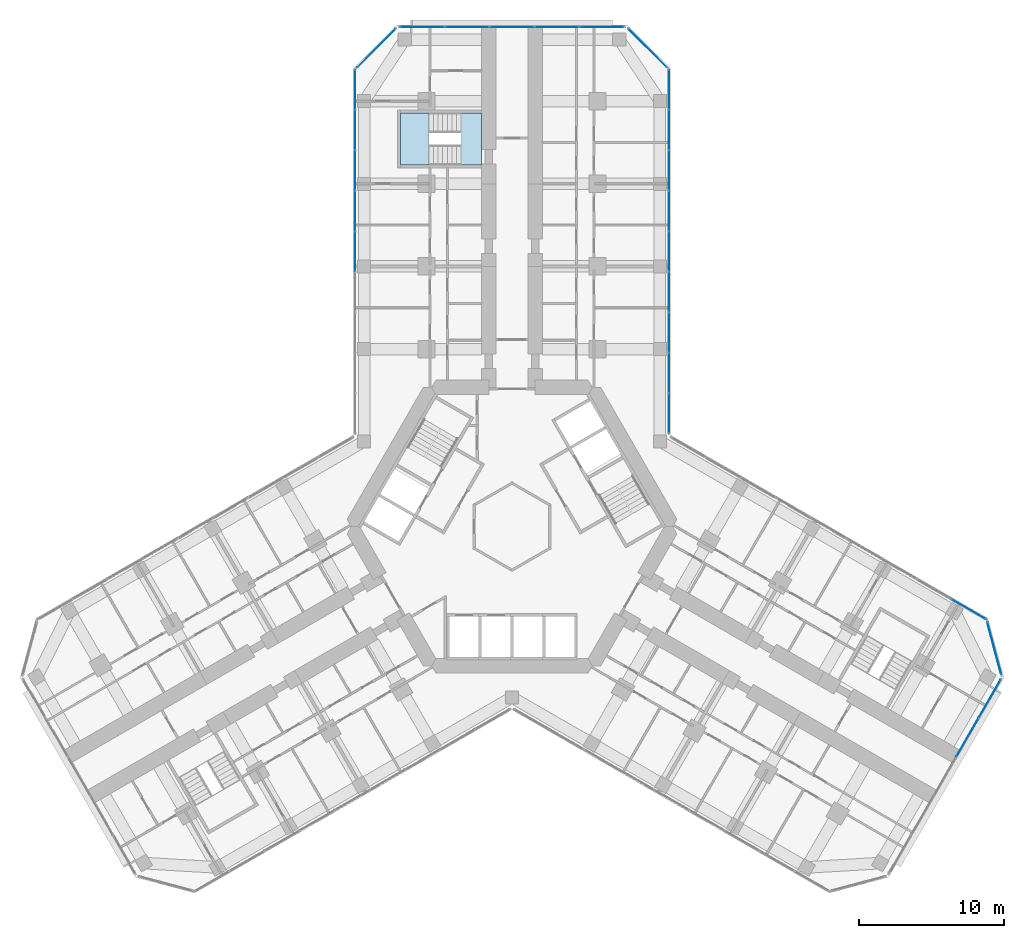
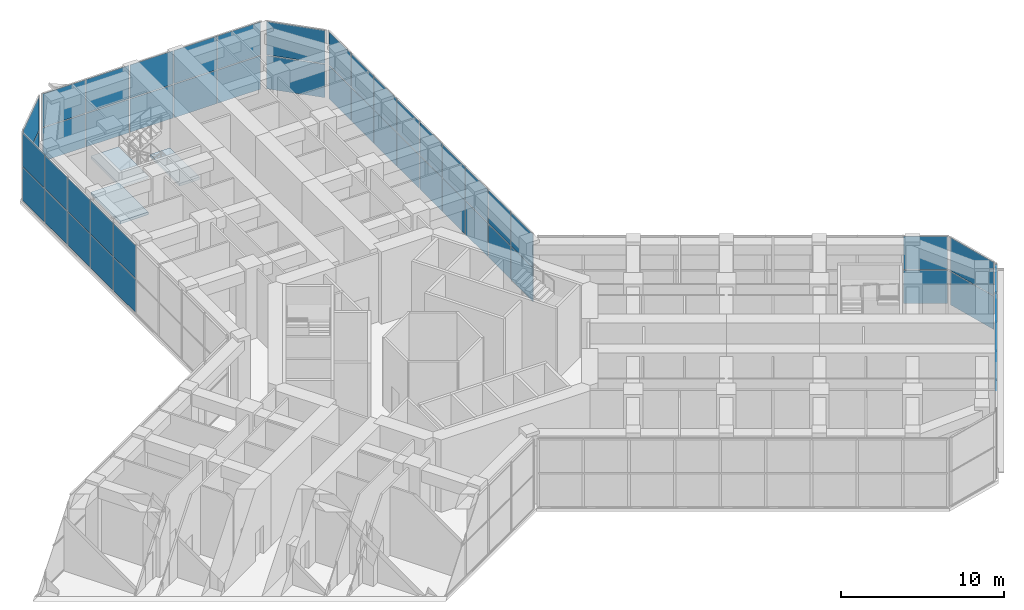
# One storey, part 13 of 23: 50 plates, 3 slabs, 9 elements without a shape of their own.
"""IFC4 building model written with IfcOpenShell, lengths in metres."""

from ifc_helpers import new_model, si_unit, direction, frame, origin, origin_2d, place, context, subcontext, project, spatial, polyline, rectangle, outline, extrude, material, layer, layer_set, type_object, element, aggregate, save


model = new_model("IFC4")

# Units and contexts
model_context = context("Model", 3, precision=1e-05, world=origin(), true_north=direction((0.0, 1.0)))
body_context = subcontext(model_context, "Body", "Model", "MODEL_VIEW")
ifc_project = project(units=[si_unit("LENGTHUNIT", "METRE"), si_unit("AREAUNIT", "SQUARE_METRE"), si_unit("VOLUMEUNIT", "CUBIC_METRE"), si_unit("PLANEANGLEUNIT", "RADIAN"), si_unit("MASSUNIT", "GRAM", prefix="KILO")], contexts=[model_context])

# Site, building, storey
site_placement = place(None, origin())
site = spatial("IfcSite", under=ifc_project, at=site_placement, CompositionType="ELEMENT")
building_placement = place(site_placement, origin())
building = spatial("IfcBuilding", under=site, at=building_placement, Name="Kosmar Iwan School Tower", CompositionType="ELEMENT")
storey_placement = place(building_placement, frame((0.0, 0.0, 75.39990234375)))
storey = spatial("IfcBuildingStorey", under=building, at=storey_placement, Name="L18", CompositionType="ELEMENT", Elevation=75.39990234375)

# Curtain wall, plates
ifc_material_1 = material(Name="Dark glass in black aluminium frame", Category="aluminium")
curtain_wall_type_1 = type_object("IfcCurtainWallType", Name="Tower curtain wall dark glass", PredefinedType="USERDEFINED", material=ifc_material_1)
curtain_wall_1_placement = place(storey_placement, origin())
curtain_wall_1 = element("IfcCurtainWall", 1, at=curtain_wall_1_placement, inside=storey, type_object=curtain_wall_type_1, Name="Curtain wall L18-F03", ObjectType="UNITISED CURTAIN WALL", PredefinedType="USERDEFINED")
ifc_material_2 = material(Name="Dark glass", Category="glass")
ifc_layer_1 = layer(ifc_material_2, 0.028076171875)
ifc_layer_set_1 = layer_set([ifc_layer_1], Name="Dark glass panel 28")
plate_type = type_object("IfcPlateType", Name="Dark glass panel 28", PredefinedType="CURTAIN_PANEL", material=ifc_layer_set_1)
plate_1_placement = place(storey_placement, frame((31.40576171875, -14.553466796875, 0.06005859375), z_axis=(0.0, 0.0, 1.0), x_axis=(0.499999997325, 0.866025405329, 0.0)))
plate_1 = element("IfcPlate", 2, at=plate_1_placement, type_object=plate_type, Name="CW1 panel 4.1", PredefinedType="CURTAIN_PANEL", context=body_context, shape_type="SweptSolid", body=[
    extrude(rectangle(XDim=3.039306640625, YDim=0.028076171875, at=origin_2d()), origin(), (0.0, 0.0, 1.0), 2.485107421875),
])
plate_2_placement = place(storey_placement, frame((31.40576171875, -14.553466796875, 2.60498046875), z_axis=(0.0, 0.0, 1.0), x_axis=(0.499999997325, 0.866025405329, 0.0)))
plate_2 = element("IfcPlate", 3, at=plate_2_placement, type_object=plate_type, Name="CW1 panel 4.2", PredefinedType="CURTAIN_PANEL", context=body_context, shape_type="SweptSolid", body=[
    extrude(rectangle(XDim=3.039306640625, YDim=0.028076171875, at=origin_2d()), origin(), (0.0, 0.0, 1.0), 2.485107421875),
])
plate_3_placement = place(storey_placement, frame((32.947998046875, -11.88232421875, 0.06005859375), z_axis=(0.0, 0.0, 1.0), x_axis=(0.499999997325, 0.866025405329, 0.0)))
plate_3 = element("IfcPlate", 4, at=plate_3_placement, type_object=plate_type, Name="CW1 panel 5.1", PredefinedType="CURTAIN_PANEL", context=body_context, shape_type="SweptSolid", body=[
    extrude(rectangle(XDim=3.00927734375, YDim=0.028076171875, at=origin_2d()), origin(), (0.0, 0.0, 1.0), 2.485107421875),
])
plate_4_placement = place(storey_placement, frame((32.947998046875, -11.88232421875, 2.60498046875), z_axis=(0.0, 0.0, 1.0), x_axis=(0.499999997325, 0.866025405329, 0.0)))
plate_4 = element("IfcPlate", 5, at=plate_4_placement, type_object=plate_type, Name="CW1 panel 5.2", PredefinedType="CURTAIN_PANEL", context=body_context, shape_type="SweptSolid", body=[
    extrude(rectangle(XDim=3.00927734375, YDim=0.028076171875, at=origin_2d()), origin(), (0.0, 0.0, 1.0), 2.485107421875),
])
aggregate(curtain_wall_1, [plate_1, plate_2, plate_3, plate_4])

ifc_material_3 = material(Name="Dark glass in black aluminium frame", Category="aluminium")
curtain_wall_type_2 = type_object("IfcCurtainWallType", Name="Chamfer curtain wall dark glass", PredefinedType="USERDEFINED", material=ifc_material_3)
curtain_wall_2_placement = place(storey_placement, origin())
curtain_wall_2 = element("IfcCurtainWall", 6, at=curtain_wall_2_placement, inside=storey, type_object=curtain_wall_type_2, Name="Curtain wall L18-F04", ObjectType="FACETED CURTAIN WALL", PredefinedType="USERDEFINED")
plate_5_placement = place(storey_placement, frame((33.269775390625, -8.3984375, 0.06005859375), z_axis=(0.0, 0.0, 1.0), x_axis=(-0.258818861462, 0.965925875495, 0.0)))
plate_5 = element("IfcPlate", 7, at=plate_5_placement, type_object=plate_type, Name="CW2 panel 1.1", PredefinedType="CURTAIN_PANEL", context=body_context, shape_type="SweptSolid", body=[
    extrude(rectangle(XDim=3.718994140625, YDim=0.028076171875, at=origin_2d()), origin(), (0.0, 0.0, 1.0), 2.485107421875),
])
plate_6_placement = place(storey_placement, frame((33.269775390625, -8.3984375, 2.60498046875), z_axis=(0.0, 0.0, 1.0), x_axis=(-0.258818861462, 0.965925875495, 0.0)))
plate_6 = element("IfcPlate", 8, at=plate_6_placement, type_object=plate_type, Name="CW2 panel 1.2", PredefinedType="CURTAIN_PANEL", context=body_context, shape_type="SweptSolid", body=[
    extrude(rectangle(XDim=3.718994140625, YDim=0.028076171875, at=origin_2d()), origin(), (0.0, 0.0, 1.0), 2.485107421875),
])
aggregate(curtain_wall_2, [plate_5, plate_6])

ifc_material_4 = material(Name="Dark glass in black aluminium frame", Category="aluminium")
curtain_wall_type_3 = type_object("IfcCurtainWallType", Name="Winter garden curtain wall", PredefinedType="USERDEFINED", material=ifc_material_4)
curtain_wall_3_placement = place(storey_placement, origin())
curtain_wall_3 = element("IfcCurtainWall", 9, at=curtain_wall_3_placement, inside=storey, type_object=curtain_wall_type_3, Name="Curtain wall L18-F05", ObjectType="WINTER GARDEN CURTAIN WALL", PredefinedType="USERDEFINED")
plate_7_placement = place(storey_placement, frame((31.511474609375, -5.693603515625, 0.06005859375), z_axis=(0.0, 0.0, 1.0), x_axis=(0.866025395189, -0.500000014888, 0.0)))
plate_7 = element("IfcPlate", 10, at=plate_7_placement, type_object=plate_type, Name="CW7 panel 9.1", PredefinedType="CURTAIN_PANEL", context=body_context, shape_type="SweptSolid", body=[
    extrude(rectangle(XDim=2.703369140625, YDim=0.028076171875, at=origin_2d()), origin(), (0.0, 0.0, 1.0), 2.485107421875),
])
plate_8_placement = place(storey_placement, frame((31.511474609375, -5.693603515625, 2.60498046875), z_axis=(0.0, 0.0, 1.0), x_axis=(0.866025395189, -0.500000014888, 0.0)))
plate_8 = element("IfcPlate", 11, at=plate_8_placement, type_object=plate_type, Name="CW7 panel 9.2", PredefinedType="CURTAIN_PANEL", context=body_context, shape_type="SweptSolid", body=[
    extrude(rectangle(XDim=2.703369140625, YDim=0.028076171875, at=origin_2d()), origin(), (0.0, 0.0, 1.0), 2.485107421875),
])
aggregate(curtain_wall_3, [plate_7, plate_8])

curtain_wall_4_placement = place(storey_placement, origin())
curtain_wall_4 = element("IfcCurtainWall", 12, at=curtain_wall_4_placement, inside=storey, type_object=curtain_wall_type_3, Name="Curtain wall L18-F06", ObjectType="WINTER GARDEN CURTAIN WALL", PredefinedType="USERDEFINED")
plate_9_placement = place(storey_placement, frame((10.824951171875, 7.820556640625, 0.06005859375), z_axis=(0.0, 0.0, 1.0), x_axis=(0.0, 1.0, 0.0)))
plate_9 = element("IfcPlate", 13, at=plate_9_placement, type_object=plate_type, Name="CW7 panel 1.1", PredefinedType="CURTAIN_PANEL", context=body_context, shape_type="SweptSolid", body=[
    extrude(rectangle(XDim=2.703369140625, YDim=0.028076171875, at=origin_2d()), origin(), (0.0, 0.0, 1.0), 2.485107421875),
])
plate_10_placement = place(storey_placement, frame((10.824951171875, 7.820556640625, 2.60498046875), z_axis=(0.0, 0.0, 1.0), x_axis=(0.0, 1.0, 0.0)))
plate_10 = element("IfcPlate", 14, at=plate_10_placement, type_object=plate_type, Name="CW7 panel 1.2", PredefinedType="CURTAIN_PANEL", context=body_context, shape_type="SweptSolid", body=[
    extrude(rectangle(XDim=2.703369140625, YDim=0.028076171875, at=origin_2d()), origin(), (0.0, 0.0, 1.0), 2.485107421875),
])
plate_11_placement = place(storey_placement, frame((10.824951171875, 10.598876953125, 0.06005859375), z_axis=(0.0, 0.0, 1.0), x_axis=(0.0, 1.0, 0.0)))
plate_11 = element("IfcPlate", 15, at=plate_11_placement, type_object=plate_type, Name="CW7 panel 2.1", PredefinedType="CURTAIN_PANEL", context=body_context, shape_type="SweptSolid", body=[
    extrude(rectangle(XDim=2.733154296875, YDim=0.028076171875, at=origin_2d()), origin(), (0.0, 0.0, 1.0), 2.485107421875),
])
plate_12_placement = place(storey_placement, frame((10.824951171875, 10.598876953125, 2.60498046875), z_axis=(0.0, 0.0, 1.0), x_axis=(0.0, 1.0, 0.0)))
plate_12 = element("IfcPlate", 16, at=plate_12_placement, type_object=plate_type, Name="CW7 panel 2.2", PredefinedType="CURTAIN_PANEL", context=body_context, shape_type="SweptSolid", body=[
    extrude(rectangle(XDim=2.733154296875, YDim=0.028076171875, at=origin_2d()), origin(), (0.0, 0.0, 1.0), 2.485107421875),
])
plate_13_placement = place(storey_placement, frame((10.824951171875, 13.39208984375, 0.06005859375), z_axis=(0.0, 0.0, 1.0), x_axis=(0.0, 1.0, 0.0)))
plate_13 = element("IfcPlate", 17, at=plate_13_placement, type_object=plate_type, Name="CW7 panel 3.1", PredefinedType="CURTAIN_PANEL", context=body_context, shape_type="SweptSolid", body=[
    extrude(rectangle(XDim=2.733154296875, YDim=0.028076171875, at=origin_2d()), origin(), (0.0, 0.0, 1.0), 2.485107421875),
])
plate_14_placement = place(storey_placement, frame((10.824951171875, 13.39208984375, 2.60498046875), z_axis=(0.0, 0.0, 1.0), x_axis=(0.0, 1.0, 0.0)))
plate_14 = element("IfcPlate", 18, at=plate_14_placement, type_object=plate_type, Name="CW7 panel 3.2", PredefinedType="CURTAIN_PANEL", context=body_context, shape_type="SweptSolid", body=[
    extrude(rectangle(XDim=2.733154296875, YDim=0.028076171875, at=origin_2d()), origin(), (0.0, 0.0, 1.0), 2.485107421875),
])
plate_15_placement = place(storey_placement, frame((10.824951171875, 16.185302734375, 0.06005859375), z_axis=(0.0, 0.0, 1.0), x_axis=(0.0, 1.0, 0.0)))
plate_15 = element("IfcPlate", 19, at=plate_15_placement, type_object=plate_type, Name="CW7 panel 4.1", PredefinedType="CURTAIN_PANEL", context=body_context, shape_type="SweptSolid", body=[
    extrude(rectangle(XDim=2.733154296875, YDim=0.028076171875, at=origin_2d()), origin(), (0.0, 0.0, 1.0), 2.485107421875),
])
plate_16_placement = place(storey_placement, frame((10.824951171875, 16.185302734375, 2.60498046875), z_axis=(0.0, 0.0, 1.0), x_axis=(0.0, 1.0, 0.0)))
plate_16 = element("IfcPlate", 20, at=plate_16_placement, type_object=plate_type, Name="CW7 panel 4.2", PredefinedType="CURTAIN_PANEL", context=body_context, shape_type="SweptSolid", body=[
    extrude(rectangle(XDim=2.733154296875, YDim=0.028076171875, at=origin_2d()), origin(), (0.0, 0.0, 1.0), 2.485107421875),
])
plate_17_placement = place(storey_placement, frame((10.824951171875, 18.978515625, 0.06005859375), z_axis=(0.0, 0.0, 1.0), x_axis=(0.0, 1.0, 0.0)))
plate_17 = element("IfcPlate", 21, at=plate_17_placement, type_object=plate_type, Name="CW7 panel 5.1", PredefinedType="CURTAIN_PANEL", context=body_context, shape_type="SweptSolid", body=[
    extrude(rectangle(XDim=2.733154296875, YDim=0.028076171875, at=origin_2d()), origin(), (0.0, 0.0, 1.0), 2.485107421875),
])
plate_18_placement = place(storey_placement, frame((10.824951171875, 18.978515625, 2.60498046875), z_axis=(0.0, 0.0, 1.0), x_axis=(0.0, 1.0, 0.0)))
plate_18 = element("IfcPlate", 22, at=plate_18_placement, type_object=plate_type, Name="CW7 panel 5.2", PredefinedType="CURTAIN_PANEL", context=body_context, shape_type="SweptSolid", body=[
    extrude(rectangle(XDim=2.733154296875, YDim=0.028076171875, at=origin_2d()), origin(), (0.0, 0.0, 1.0), 2.485107421875),
])
plate_19_placement = place(storey_placement, frame((10.824951171875, 21.771728515625, 0.06005859375), z_axis=(0.0, 0.0, 1.0), x_axis=(0.0, 1.0, 0.0)))
plate_19 = element("IfcPlate", 23, at=plate_19_placement, type_object=plate_type, Name="CW7 panel 6.1", PredefinedType="CURTAIN_PANEL", context=body_context, shape_type="SweptSolid", body=[
    extrude(rectangle(XDim=2.733154296875, YDim=0.028076171875, at=origin_2d()), origin(), (0.0, 0.0, 1.0), 2.485107421875),
])
plate_20_placement = place(storey_placement, frame((10.824951171875, 21.771728515625, 2.60498046875), z_axis=(0.0, 0.0, 1.0), x_axis=(0.0, 1.0, 0.0)))
plate_20 = element("IfcPlate", 24, at=plate_20_placement, type_object=plate_type, Name="CW7 panel 6.2", PredefinedType="CURTAIN_PANEL", context=body_context, shape_type="SweptSolid", body=[
    extrude(rectangle(XDim=2.733154296875, YDim=0.028076171875, at=origin_2d()), origin(), (0.0, 0.0, 1.0), 2.485107421875),
])
plate_21_placement = place(storey_placement, frame((10.824951171875, 24.565185546875, 0.06005859375), z_axis=(0.0, 0.0, 1.0), x_axis=(0.0, 1.0, 0.0)))
plate_21 = element("IfcPlate", 25, at=plate_21_placement, type_object=plate_type, Name="CW7 panel 7.1", PredefinedType="CURTAIN_PANEL", context=body_context, shape_type="SweptSolid", body=[
    extrude(rectangle(XDim=2.733154296875, YDim=0.028076171875, at=origin_2d()), origin(), (0.0, 0.0, 1.0), 2.485107421875),
])
plate_22_placement = place(storey_placement, frame((10.824951171875, 24.565185546875, 2.60498046875), z_axis=(0.0, 0.0, 1.0), x_axis=(0.0, 1.0, 0.0)))
plate_22 = element("IfcPlate", 26, at=plate_22_placement, type_object=plate_type, Name="CW7 panel 7.2", PredefinedType="CURTAIN_PANEL", context=body_context, shape_type="SweptSolid", body=[
    extrude(rectangle(XDim=2.733154296875, YDim=0.028076171875, at=origin_2d()), origin(), (0.0, 0.0, 1.0), 2.485107421875),
])
plate_23_placement = place(storey_placement, frame((10.824951171875, 27.3583984375, 0.06005859375), z_axis=(0.0, 0.0, 1.0), x_axis=(0.0, 1.0, 0.0)))
plate_23 = element("IfcPlate", 27, at=plate_23_placement, type_object=plate_type, Name="CW7 panel 8.1", PredefinedType="CURTAIN_PANEL", context=body_context, shape_type="SweptSolid", body=[
    extrude(rectangle(XDim=2.733154296875, YDim=0.028076171875, at=origin_2d()), origin(), (0.0, 0.0, 1.0), 2.485107421875),
])
plate_24_placement = place(storey_placement, frame((10.824951171875, 27.3583984375, 2.60498046875), z_axis=(0.0, 0.0, 1.0), x_axis=(0.0, 1.0, 0.0)))
plate_24 = element("IfcPlate", 28, at=plate_24_placement, type_object=plate_type, Name="CW7 panel 8.2", PredefinedType="CURTAIN_PANEL", context=body_context, shape_type="SweptSolid", body=[
    extrude(rectangle(XDim=2.733154296875, YDim=0.028076171875, at=origin_2d()), origin(), (0.0, 0.0, 1.0), 2.485107421875),
])
plate_25_placement = place(storey_placement, frame((10.824951171875, 30.13671875, 0.06005859375), z_axis=(0.0, 0.0, 1.0), x_axis=(0.0, 1.0, 0.0)))
plate_25 = element("IfcPlate", 29, at=plate_25_placement, type_object=plate_type, Name="CW7 panel 9.1", PredefinedType="CURTAIN_PANEL", context=body_context, shape_type="SweptSolid", body=[
    extrude(rectangle(XDim=2.703369140625, YDim=0.028076171875, at=origin_2d()), origin(), (0.0, 0.0, 1.0), 2.485107421875),
])
plate_26_placement = place(storey_placement, frame((10.824951171875, 30.13671875, 2.60498046875), z_axis=(0.0, 0.0, 1.0), x_axis=(0.0, 1.0, 0.0)))
plate_26 = element("IfcPlate", 30, at=plate_26_placement, type_object=plate_type, Name="CW7 panel 9.2", PredefinedType="CURTAIN_PANEL", context=body_context, shape_type="SweptSolid", body=[
    extrude(rectangle(XDim=2.703369140625, YDim=0.028076171875, at=origin_2d()), origin(), (0.0, 0.0, 1.0), 2.485107421875),
])
aggregate(curtain_wall_4, [plate_9, plate_10, plate_11, plate_12, plate_13, plate_14, plate_15, plate_16, plate_17, plate_18, plate_19, plate_20, plate_21, plate_22, plate_23, plate_24, plate_25, plate_26])

curtain_wall_5_placement = place(storey_placement, origin())
curtain_wall_5 = element("IfcCurtainWall", 31, at=curtain_wall_5_placement, inside=storey, type_object=curtain_wall_type_2, Name="Curtain wall L18-F07", ObjectType="FACETED CURTAIN WALL", PredefinedType="USERDEFINED")
plate_27_placement = place(storey_placement, frame((9.361572265625, 33.01171875, 0.06005859375), z_axis=(0.0, 0.0, 1.0), x_axis=(-0.707106781187, 0.707106781187, 0.0)))
plate_27 = element("IfcPlate", 32, at=plate_27_placement, type_object=plate_type, Name="CW2 panel 1.1", PredefinedType="CURTAIN_PANEL", context=body_context, shape_type="SweptSolid", body=[
    extrude(rectangle(XDim=3.718994140625, YDim=0.028076171875, at=origin_2d()), origin(), (0.0, 0.0, 1.0), 2.485107421875),
])
plate_28_placement = place(storey_placement, frame((9.361572265625, 33.01171875, 2.60498046875), z_axis=(0.0, 0.0, 1.0), x_axis=(-0.707106781187, 0.707106781187, 0.0)))
plate_28 = element("IfcPlate", 33, at=plate_28_placement, type_object=plate_type, Name="CW2 panel 1.2", PredefinedType="CURTAIN_PANEL", context=body_context, shape_type="SweptSolid", body=[
    extrude(rectangle(XDim=3.718994140625, YDim=0.028076171875, at=origin_2d()), origin(), (0.0, 0.0, 1.0), 2.485107421875),
])
aggregate(curtain_wall_5, [plate_27, plate_28])

curtain_wall_6_placement = place(storey_placement, origin())
curtain_wall_6 = element("IfcCurtainWall", 34, at=curtain_wall_6_placement, inside=storey, type_object=curtain_wall_type_1, Name="Curtain wall L18-F08", ObjectType="UNITISED CURTAIN WALL", PredefinedType="USERDEFINED")
plate_29_placement = place(storey_placement, frame((6.18359375, 34.47509765625, 0.06005859375), z_axis=(0.0, 0.0, 1.0), x_axis=(-1.0, 0.0, 0.0)))
plate_29 = element("IfcPlate", 35, at=plate_29_placement, type_object=plate_type, Name="CW1 panel 1.1", PredefinedType="CURTAIN_PANEL", context=body_context, shape_type="SweptSolid", body=[
    extrude(rectangle(XDim=3.00927734375, YDim=0.028076171875, at=origin_2d()), origin(), (0.0, 0.0, 1.0), 2.485107421875),
])
plate_30_placement = place(storey_placement, frame((6.18359375, 34.47509765625, 2.60498046875), z_axis=(0.0, 0.0, 1.0), x_axis=(-1.0, 0.0, 0.0)))
plate_30 = element("IfcPlate", 36, at=plate_30_placement, type_object=plate_type, Name="CW1 panel 1.2", PredefinedType="CURTAIN_PANEL", context=body_context, shape_type="SweptSolid", body=[
    extrude(rectangle(XDim=3.00927734375, YDim=0.028076171875, at=origin_2d()), origin(), (0.0, 0.0, 1.0), 2.485107421875),
])
plate_31_placement = place(storey_placement, frame((3.099365234375, 34.47509765625, 0.06005859375), z_axis=(0.0, 0.0, 1.0), x_axis=(-1.0, 0.0, 0.0)))
plate_31 = element("IfcPlate", 37, at=plate_31_placement, type_object=plate_type, Name="CW1 panel 2.1", PredefinedType="CURTAIN_PANEL", context=body_context, shape_type="SweptSolid", body=[
    extrude(rectangle(XDim=3.039306640625, YDim=0.028076171875, at=origin_2d()), origin(), (0.0, 0.0, 1.0), 2.485107421875),
])
plate_32_placement = place(storey_placement, frame((3.099365234375, 34.47509765625, 2.60498046875), z_axis=(0.0, 0.0, 1.0), x_axis=(-1.0, 0.0, 0.0)))
plate_32 = element("IfcPlate", 38, at=plate_32_placement, type_object=plate_type, Name="CW1 panel 2.2", PredefinedType="CURTAIN_PANEL", context=body_context, shape_type="SweptSolid", body=[
    extrude(rectangle(XDim=3.039306640625, YDim=0.028076171875, at=origin_2d()), origin(), (0.0, 0.0, 1.0), 2.485107421875),
])
plate_33_placement = place(storey_placement, frame((0.0, 34.47509765625, 0.06005859375), z_axis=(0.0, 0.0, 1.0), x_axis=(-1.0, 0.0, 0.0)))
plate_33 = element("IfcPlate", 39, at=plate_33_placement, type_object=plate_type, Name="CW1 panel 3.1", PredefinedType="CURTAIN_PANEL", context=body_context, shape_type="SweptSolid", body=[
    extrude(rectangle(XDim=3.039306640625, YDim=0.028076171875, at=origin_2d()), origin(), (0.0, 0.0, 1.0), 2.485107421875),
])
plate_34_placement = place(storey_placement, frame((0.0, 34.47509765625, 2.60498046875), z_axis=(0.0, 0.0, 1.0), x_axis=(-1.0, 0.0, 0.0)))
plate_34 = element("IfcPlate", 40, at=plate_34_placement, type_object=plate_type, Name="CW1 panel 3.2", PredefinedType="CURTAIN_PANEL", context=body_context, shape_type="SweptSolid", body=[
    extrude(rectangle(XDim=3.039306640625, YDim=0.028076171875, at=origin_2d()), origin(), (0.0, 0.0, 1.0), 2.485107421875),
])
plate_35_placement = place(storey_placement, frame((-3.099365234375, 34.47509765625, 0.06005859375), z_axis=(0.0, 0.0, 1.0), x_axis=(-1.0, 0.0, 0.0)))
plate_35 = element("IfcPlate", 41, at=plate_35_placement, type_object=plate_type, Name="CW1 panel 4.1", PredefinedType="CURTAIN_PANEL", context=body_context, shape_type="SweptSolid", body=[
    extrude(rectangle(XDim=3.039306640625, YDim=0.028076171875, at=origin_2d()), origin(), (0.0, 0.0, 1.0), 2.485107421875),
])
plate_36_placement = place(storey_placement, frame((-3.099365234375, 34.47509765625, 2.60498046875), z_axis=(0.0, 0.0, 1.0), x_axis=(-1.0, 0.0, 0.0)))
plate_36 = element("IfcPlate", 42, at=plate_36_placement, type_object=plate_type, Name="CW1 panel 4.2", PredefinedType="CURTAIN_PANEL", context=body_context, shape_type="SweptSolid", body=[
    extrude(rectangle(XDim=3.039306640625, YDim=0.028076171875, at=origin_2d()), origin(), (0.0, 0.0, 1.0), 2.485107421875),
])
plate_37_placement = place(storey_placement, frame((-6.18359375, 34.47509765625, 0.06005859375), z_axis=(0.0, 0.0, 1.0), x_axis=(-1.0, 0.0, 0.0)))
plate_37 = element("IfcPlate", 43, at=plate_37_placement, type_object=plate_type, Name="CW1 panel 5.1", PredefinedType="CURTAIN_PANEL", context=body_context, shape_type="SweptSolid", body=[
    extrude(rectangle(XDim=3.00927734375, YDim=0.028076171875, at=origin_2d()), origin(), (0.0, 0.0, 1.0), 2.485107421875),
])
plate_38_placement = place(storey_placement, frame((-6.18359375, 34.47509765625, 2.60498046875), z_axis=(0.0, 0.0, 1.0), x_axis=(-1.0, 0.0, 0.0)))
plate_38 = element("IfcPlate", 44, at=plate_38_placement, type_object=plate_type, Name="CW1 panel 5.2", PredefinedType="CURTAIN_PANEL", context=body_context, shape_type="SweptSolid", body=[
    extrude(rectangle(XDim=3.00927734375, YDim=0.028076171875, at=origin_2d()), origin(), (0.0, 0.0, 1.0), 2.485107421875),
])
aggregate(curtain_wall_6, [plate_29, plate_30, plate_31, plate_32, plate_33, plate_34, plate_35, plate_36, plate_37, plate_38])

curtain_wall_7_placement = place(storey_placement, origin())
curtain_wall_7 = element("IfcCurtainWall", 45, at=curtain_wall_7_placement, inside=storey, type_object=curtain_wall_type_2, Name="Curtain wall L18-F09", ObjectType="FACETED CURTAIN WALL", PredefinedType="USERDEFINED")
plate_39_placement = place(storey_placement, frame((-9.361572265625, 33.01171875, 0.06005859375), z_axis=(0.0, 0.0, 1.0), x_axis=(-0.707106781187, -0.707106781187, 0.0)))
plate_39 = element("IfcPlate", 46, at=plate_39_placement, type_object=plate_type, Name="CW2 panel 1.1", PredefinedType="CURTAIN_PANEL", context=body_context, shape_type="SweptSolid", body=[
    extrude(rectangle(XDim=3.718994140625, YDim=0.028076171875, at=origin_2d()), origin(), (0.0, 0.0, 1.0), 2.485107421875),
])
plate_40_placement = place(storey_placement, frame((-9.361572265625, 33.01171875, 2.60498046875), z_axis=(0.0, 0.0, 1.0), x_axis=(-0.707106781187, -0.707106781187, 0.0)))
plate_40 = element("IfcPlate", 47, at=plate_40_placement, type_object=plate_type, Name="CW2 panel 1.2", PredefinedType="CURTAIN_PANEL", context=body_context, shape_type="SweptSolid", body=[
    extrude(rectangle(XDim=3.718994140625, YDim=0.028076171875, at=origin_2d()), origin(), (0.0, 0.0, 1.0), 2.485107421875),
])
aggregate(curtain_wall_7, [plate_39, plate_40])

curtain_wall_8_placement = place(storey_placement, origin())
curtain_wall_8 = element("IfcCurtainWall", 48, at=curtain_wall_8_placement, inside=storey, type_object=curtain_wall_type_3, Name="Curtain wall L18-F10", ObjectType="WINTER GARDEN CURTAIN WALL", PredefinedType="USERDEFINED")
plate_41_placement = place(storey_placement, frame((-10.824951171875, 18.978515625, 0.06005859375), z_axis=(0.0, 0.0, 1.0), x_axis=(0.0, 1.0, 0.0)))
plate_41 = element("IfcPlate", 49, at=plate_41_placement, type_object=plate_type, Name="CW7 panel 5.1", PredefinedType="CURTAIN_PANEL", context=body_context, shape_type="SweptSolid", body=[
    extrude(rectangle(XDim=2.733154296875, YDim=0.028076171875, at=origin_2d()), origin(), (0.0, 0.0, 1.0), 2.485107421875),
])
plate_42_placement = place(storey_placement, frame((-10.824951171875, 18.978515625, 2.60498046875), z_axis=(0.0, 0.0, 1.0), x_axis=(0.0, 1.0, 0.0)))
plate_42 = element("IfcPlate", 50, at=plate_42_placement, type_object=plate_type, Name="CW7 panel 5.2", PredefinedType="CURTAIN_PANEL", context=body_context, shape_type="SweptSolid", body=[
    extrude(rectangle(XDim=2.733154296875, YDim=0.028076171875, at=origin_2d()), origin(), (0.0, 0.0, 1.0), 2.485107421875),
])
plate_43_placement = place(storey_placement, frame((-10.824951171875, 21.771728515625, 0.06005859375), z_axis=(0.0, 0.0, 1.0), x_axis=(0.0, 1.0, 0.0)))
plate_43 = element("IfcPlate", 51, at=plate_43_placement, type_object=plate_type, Name="CW7 panel 6.1", PredefinedType="CURTAIN_PANEL", context=body_context, shape_type="SweptSolid", body=[
    extrude(rectangle(XDim=2.733154296875, YDim=0.028076171875, at=origin_2d()), origin(), (0.0, 0.0, 1.0), 2.485107421875),
])
plate_44_placement = place(storey_placement, frame((-10.824951171875, 21.771728515625, 2.60498046875), z_axis=(0.0, 0.0, 1.0), x_axis=(0.0, 1.0, 0.0)))
plate_44 = element("IfcPlate", 52, at=plate_44_placement, type_object=plate_type, Name="CW7 panel 6.2", PredefinedType="CURTAIN_PANEL", context=body_context, shape_type="SweptSolid", body=[
    extrude(rectangle(XDim=2.733154296875, YDim=0.028076171875, at=origin_2d()), origin(), (0.0, 0.0, 1.0), 2.485107421875),
])
plate_45_placement = place(storey_placement, frame((-10.824951171875, 24.565185546875, 0.06005859375), z_axis=(0.0, 0.0, 1.0), x_axis=(0.0, 1.0, 0.0)))
plate_45 = element("IfcPlate", 53, at=plate_45_placement, type_object=plate_type, Name="CW7 panel 7.1", PredefinedType="CURTAIN_PANEL", context=body_context, shape_type="SweptSolid", body=[
    extrude(rectangle(XDim=2.733154296875, YDim=0.028076171875, at=origin_2d()), origin(), (0.0, 0.0, 1.0), 2.485107421875),
])
plate_46_placement = place(storey_placement, frame((-10.824951171875, 24.565185546875, 2.60498046875), z_axis=(0.0, 0.0, 1.0), x_axis=(0.0, 1.0, 0.0)))
plate_46 = element("IfcPlate", 54, at=plate_46_placement, type_object=plate_type, Name="CW7 panel 7.2", PredefinedType="CURTAIN_PANEL", context=body_context, shape_type="SweptSolid", body=[
    extrude(rectangle(XDim=2.733154296875, YDim=0.028076171875, at=origin_2d()), origin(), (0.0, 0.0, 1.0), 2.485107421875),
])
plate_47_placement = place(storey_placement, frame((-10.824951171875, 27.3583984375, 0.06005859375), z_axis=(0.0, 0.0, 1.0), x_axis=(0.0, 1.0, 0.0)))
plate_47 = element("IfcPlate", 55, at=plate_47_placement, type_object=plate_type, Name="CW7 panel 8.1", PredefinedType="CURTAIN_PANEL", context=body_context, shape_type="SweptSolid", body=[
    extrude(rectangle(XDim=2.733154296875, YDim=0.028076171875, at=origin_2d()), origin(), (0.0, 0.0, 1.0), 2.485107421875),
])
plate_48_placement = place(storey_placement, frame((-10.824951171875, 27.3583984375, 2.60498046875), z_axis=(0.0, 0.0, 1.0), x_axis=(0.0, 1.0, 0.0)))
plate_48 = element("IfcPlate", 56, at=plate_48_placement, type_object=plate_type, Name="CW7 panel 8.2", PredefinedType="CURTAIN_PANEL", context=body_context, shape_type="SweptSolid", body=[
    extrude(rectangle(XDim=2.733154296875, YDim=0.028076171875, at=origin_2d()), origin(), (0.0, 0.0, 1.0), 2.485107421875),
])
plate_49_placement = place(storey_placement, frame((-10.824951171875, 30.13671875, 0.06005859375), z_axis=(0.0, 0.0, 1.0), x_axis=(0.0, 1.0, 0.0)))
plate_49 = element("IfcPlate", 57, at=plate_49_placement, type_object=plate_type, Name="CW7 panel 9.1", PredefinedType="CURTAIN_PANEL", context=body_context, shape_type="SweptSolid", body=[
    extrude(rectangle(XDim=2.703369140625, YDim=0.028076171875, at=origin_2d()), origin(), (0.0, 0.0, 1.0), 2.485107421875),
])
plate_50_placement = place(storey_placement, frame((-10.824951171875, 30.13671875, 2.60498046875), z_axis=(0.0, 0.0, 1.0), x_axis=(0.0, 1.0, 0.0)))
plate_50 = element("IfcPlate", 58, at=plate_50_placement, type_object=plate_type, Name="CW7 panel 9.2", PredefinedType="CURTAIN_PANEL", context=body_context, shape_type="SweptSolid", body=[
    extrude(rectangle(XDim=2.703369140625, YDim=0.028076171875, at=origin_2d()), origin(), (0.0, 0.0, 1.0), 2.485107421875),
])
aggregate(curtain_wall_8, [plate_41, plate_42, plate_43, plate_44, plate_45, plate_46, plate_47, plate_48, plate_49, plate_50])

# Stair, slabs
ifc_material_5 = material(Name="Concrete C35/45", Category="concrete")
stair_type = type_object("IfcStairType", Name="Escape stair 3600", PredefinedType="HALF_TURN_STAIR", material=ifc_material_5)
stair_placement = place(storey_placement, origin())
stair = element("IfcStair", 59, at=stair_placement, inside=storey, type_object=stair_type, Name="Stair WS1 L18", PredefinedType="HALF_TURN_STAIR")
ifc_material_6 = material(Name="Concrete C35/45", Category="concrete")
ifc_layer_2 = layer(ifc_material_6, 0.199951171875)
ifc_layer_set_2 = layer_set([ifc_layer_2], Name="Escape stair landing 200")
slab_type = type_object("IfcSlabType", Name="Escape stair landing 200", PredefinedType="LANDING", material=ifc_layer_set_2)
slab_1_placement = place(storey_placement, frame((0.0, 0.0, 1.150146484375)))
slab_1 = element("IfcSlab", 60, at=slab_1_placement, type_object=slab_type, Name="WS1 landing 1", PredefinedType="LANDING", context=body_context, shape_type="SweptSolid", body=[
    extrude(outline(polyline([(-5.719970703125, 24.949951171875), (-5.719970703125, 28.550048828125), (-7.699951171875, 28.550048828125), (-7.699951171875, 24.949951171875), (-5.719970703125, 24.949951171875)])), origin(), (0.0, 0.0, 1.0), 0.199951171875),
])
slab_2_placement = place(storey_placement, frame((0.0, 0.0, 2.5)))
slab_2 = element("IfcSlab", 61, at=slab_2_placement, type_object=slab_type, Name="WS1 landing 2", PredefinedType="LANDING", context=body_context, shape_type="SweptSolid", body=[
    extrude(outline(polyline([(-2.10009765625, 24.949951171875), (-2.10009765625, 28.550048828125), (-3.52001953125, 28.550048828125), (-3.52001953125, 24.949951171875), (-2.10009765625, 24.949951171875)])), origin(), (0.0, 0.0, 1.0), 0.2001953125),
])
slab_3_placement = place(storey_placement, frame((0.0, 0.0, 3.85009765625)))
slab_3 = element("IfcSlab", 62, at=slab_3_placement, type_object=slab_type, Name="WS1 landing 3", PredefinedType="LANDING", context=body_context, shape_type="SweptSolid", body=[
    extrude(outline(polyline([(-5.719970703125, 24.949951171875), (-5.719970703125, 28.550048828125), (-7.699951171875, 28.550048828125), (-7.699951171875, 24.949951171875), (-5.719970703125, 24.949951171875)])), origin(), (0.0, 0.0, 1.0), 0.199951171875),
])
aggregate(stair, [slab_1, slab_2, slab_3])

save(model, "model.ifc")
